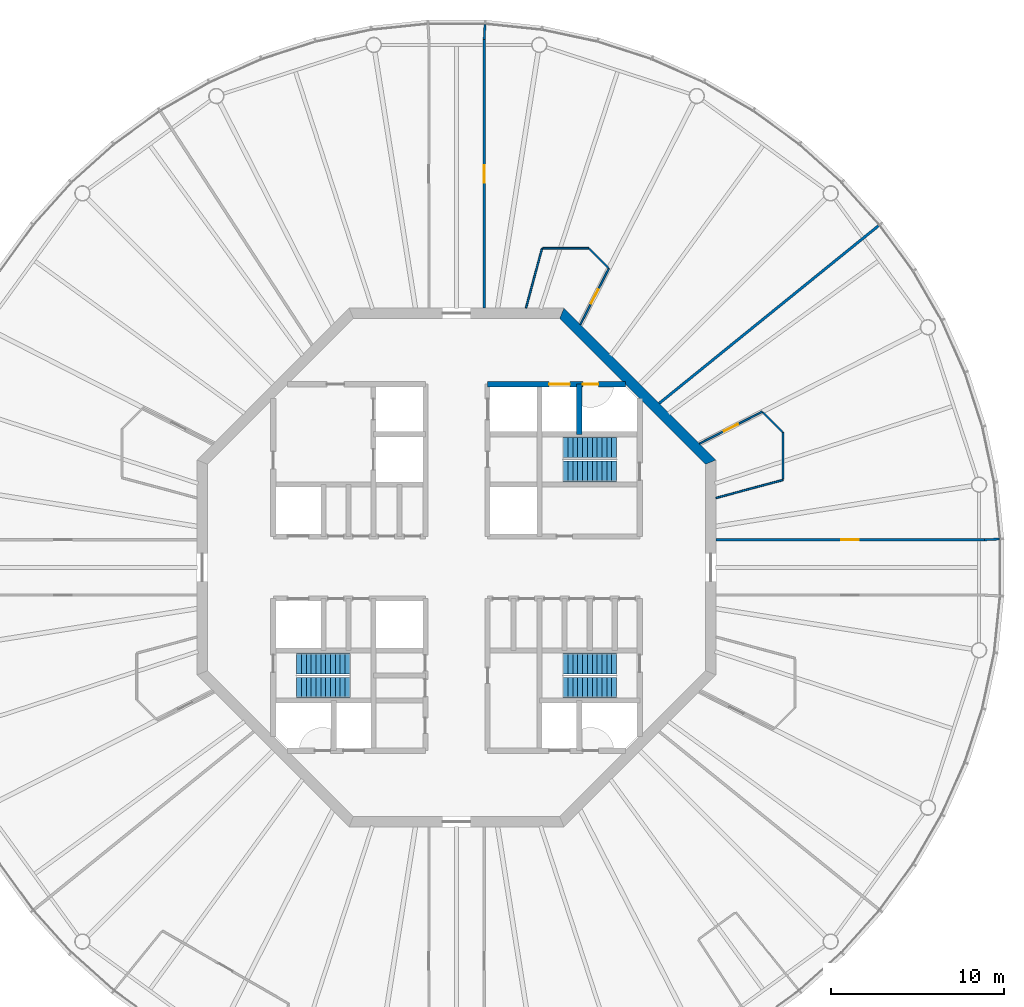
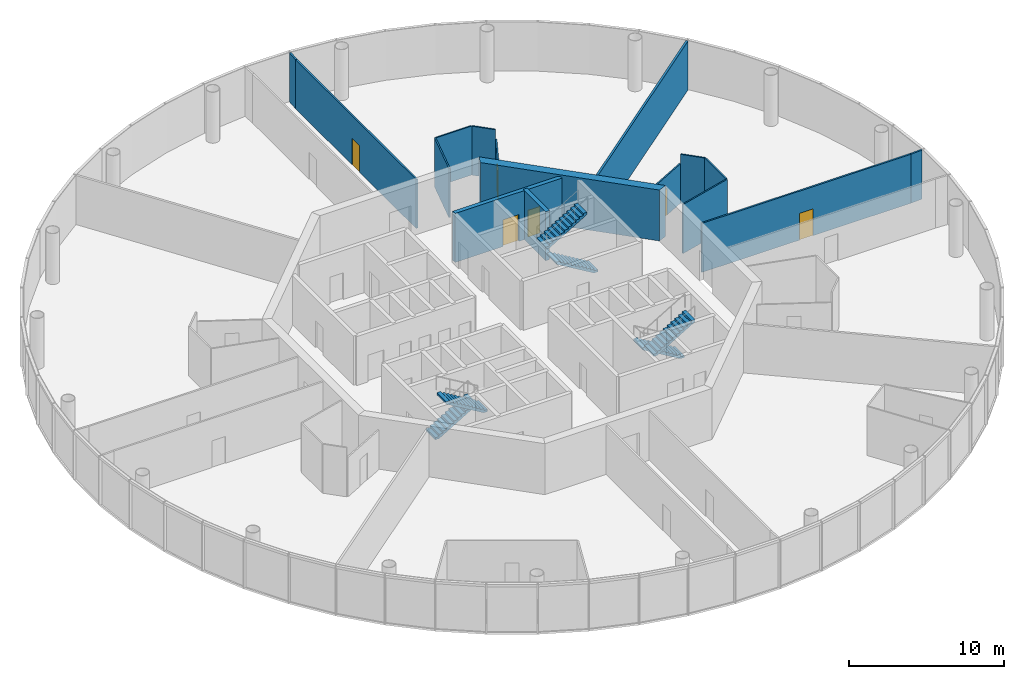
# One storey, part 6 of 13: 16 walls, 6 doors, 6 stair flights, 6 openings, 3 elements without a shape of their own.
"""IFC4 building model written with IfcOpenShell, lengths in metres."""

from ifc_helpers import new_model, si_unit, direction, frame, frame_2d, origin, place, context, subcontext, project, spatial, polyline, rectangle, outline, extrude, material, layer, layer_set, type_object, element, fill, aggregate, save


model = new_model("IFC4")

# Units and contexts
model_context = context("Model", 3, precision=1e-05, world=origin(), true_north=direction((0.0, 1.0)))
body_context = subcontext(model_context, "Body", "Model", "MODEL_VIEW")
ifc_project = project(units=[si_unit("LENGTHUNIT", "METRE"), si_unit("AREAUNIT", "SQUARE_METRE"), si_unit("VOLUMEUNIT", "CUBIC_METRE"), si_unit("PLANEANGLEUNIT", "RADIAN"), si_unit("MASSUNIT", "GRAM", prefix="KILO")], contexts=[model_context])

# Site, building, storey
site_placement = place(None, origin())
site = spatial("IfcSite", under=ifc_project, at=site_placement, CompositionType="ELEMENT")
building_placement = place(site_placement, origin())
building = spatial("IfcBuilding", under=site, at=building_placement, Name="Entoto Ring Tower", CompositionType="ELEMENT")
storey_placement = place(building_placement, frame((0.0, 0.0, 344.0)))
storey = spatial("IfcBuildingStorey", under=building, at=storey_placement, Name="L79", CompositionType="ELEMENT", Elevation=344.0)

# Wall
ifc_material_1 = material(Name="Concrete C40/50", Category="concrete")
ifc_layer_1 = layer(ifc_material_1, 0.300048828125)
ifc_layer_set_1 = layer_set([ifc_layer_1], Name="Concrete C40/50")
wall_type_1 = type_object("IfcWallType", Name="Core enclosure wall 300 mm reinforced concrete", PredefinedType="SOLIDWALL", material=ifc_layer_set_1)
wall_1_placement = place(storey_placement, frame((97.10009765625, 87.699951171875, 0.0), z_axis=(0.0, 0.0, 1.0), x_axis=(0.0, 1.0, 0.0)))
element("IfcWall", 1, at=wall_1_placement, inside=storey, type_object=wall_type_1, Name="wall-L79-006", PredefinedType="SOLIDWALL", context=body_context, shape_type="SweptSolid", body=[
    extrude(rectangle(XDim=2.900146484375, YDim=0.300048828125, at=frame_2d((1.4501953125, 0.0))), origin(), (0.0, 0.0, 1.0), 3.85009765625),
])

# Wall, openings, doors
wall_2_placement = place(storey_placement, frame((91.800048828125, 90.60009765625, 0.0), z_axis=(0.0, 0.0, 1.0), x_axis=(1.0, 0.0, 0.0)))
wall_2 = element("IfcWall", 2, at=wall_2_placement, inside=storey, type_object=wall_type_1, Name="wall-L79-041", PredefinedType="SOLIDWALL", context=body_context, shape_type="SweptSolid", body=[
    extrude(rectangle(XDim=7.964599609375, YDim=0.300048828125, at=frame_2d((3.982421875, 0.0))), origin(), (0.0, 0.0, 1.0), 3.85009765625),
])
opening_1_placement = place(wall_2_placement, frame((3.550048828125, 0.0, 0.0)))
opening_1 = element("IfcOpeningElement", 3, at=opening_1_placement, cuts=wall_2, Name="Opening LD", PredefinedType="OPENING", context=body_context, shape_type="SweptSolid", body=[
    extrude(rectangle(XDim=1.199951171875, YDim=2.10009765625, at=frame_2d((0.60009765625, 1.050048828125))), frame((0.0, 0.16015625, 0.0), z_axis=(0.0, -1.0, 0.0), x_axis=(1.0, 0.0, 0.0)), (0.0, 0.0, 1.0), 0.320068359375),
])
opening_2_placement = place(wall_2_placement, frame((5.5, 0.0, 0.0)))
opening_2 = element("IfcOpeningElement", 4, at=opening_2_placement, cuts=wall_2, Name="Opening K-32", PredefinedType="OPENING", context=body_context, shape_type="SweptSolid", body=[
    extrude(rectangle(XDim=0.89990234375, YDim=2.10009765625, at=frame_2d((0.449951171875, 1.050048828125))), frame((0.0, 0.16015625, 0.0), z_axis=(0.0, -1.0, 0.0), x_axis=(1.0, 0.0, 0.0)), (0.0, 0.0, 1.0), 0.320068359375),
])
ifc_material_2 = material(Name="Steel and glass door leaf", Category="steel")
ifc_layer_2 = layer(ifc_material_2, 0.050048828125)
ifc_layer_set_2 = layer_set([ifc_layer_2], Name="Steel and glass door leaf")
door_type_1 = type_object("IfcDoorType", Name="Landing door 1200 x 2100 sliding", OperationType="DOUBLE_DOOR_SLIDING", PredefinedType="DOOR", material=ifc_layer_set_2)
door_1_placement = place(opening_1_placement, origin())
door_1 = element("IfcDoor", 5, at=door_1_placement, inside=storey, type_object=door_type_1, Name="Landing door LB1-HR", OperationType="SLIDING_TO_RIGHT", OverallHeight=2.10009765625, OverallWidth=1.199951171875, PredefinedType="DOOR", context=body_context, shape_type="SweptSolid", body=[
    extrude(rectangle(XDim=1.199951171875, YDim=2.10009765625, at=frame_2d((0.60009765625, 1.050048828125))), frame((0.0, 0.02490234375, 0.0), z_axis=(0.0, -1.0, 0.0), x_axis=(1.0, 0.0, 0.0)), (0.0, 0.0, 1.0), 0.050048828125),
])
fill(opening_1, door_1)
ifc_material_3 = material(Name="Steel door leaf, fire rated", Category="steel")
ifc_layer_3 = layer(ifc_material_3, 0.050048828125)
ifc_layer_set_3 = layer_set([ifc_layer_3], Name="Steel door leaf, fire rated")
door_type_2 = type_object("IfcDoorType", Name="Riser door FD60 900 x 2100 single leaf", OperationType="NOTDEFINED", PredefinedType="DOOR", material=ifc_layer_set_3)
door_2_placement = place(opening_2_placement, frame((0.89990234375, 0.0, 0.0), z_axis=(0.0, 0.0, 1.0), x_axis=(-1.0, 0.0, 0.0)))
door_2 = element("IfcDoor", 6, at=door_2_placement, inside=storey, type_object=door_type_2, Name="Door K-32", OperationType="SINGLE_SWING_RIGHT", OverallHeight=2.10009765625, OverallWidth=0.89990234375, PredefinedType="DOOR", context=body_context, shape_type="SweptSolid", body=[
    extrude(rectangle(XDim=0.89990234375, YDim=2.10009765625, at=frame_2d((0.449951171875, 1.050048828125))), frame((0.0, 0.02490234375, 0.0), z_axis=(0.0, -1.0, 0.0), x_axis=(1.0, 0.0, 0.0)), (0.0, 0.0, 1.0), 0.050048828125),
])
fill(opening_2, door_2)

# Wall
ifc_material_4 = material(Name="Concrete C40/50", Category="concrete")
ifc_layer_4 = layer(ifc_material_4, 0.60009765625)
ifc_layer_set_4 = layer_set([ifc_layer_4], Name="Concrete C40/50")
wall_type_2 = type_object("IfcWallType", Name="Core shear wall 600 mm reinforced concrete C40/50", PredefinedType="SHEAR", material=ifc_layer_set_4)
wall_3_placement = place(storey_placement, frame((104.699951171875, 86.0888671875, 0.0), z_axis=(0.0, 0.0, 1.0), x_axis=(-0.707106781187, 0.707106781187, 0.0)))
element("IfcWall", 7, at=wall_3_placement, inside=storey, type_object=wall_type_2, Name="wall-L79-core-1", PredefinedType="SHEAR", context=body_context, shape_type="SweptSolid", body=[
    extrude(outline(polyline([(-0.124267578125, -0.300048828125), (12.30224609375, -0.300048828125), (12.0537109375, 0.300048828125), (0.124267578125, 0.300048828125), (-0.124267578125, -0.300048828125)])), origin(), (0.0, 0.0, 1.0), 4.0),
])

# Wall, opening, door
ifc_material_5 = material(Name="Fire-resisting plasterboard on steel studs", Category="steel")
ifc_layer_5 = layer(ifc_material_5, 0.125)
ifc_layer_set_5 = layer_set([ifc_layer_5], Name="Fire-resisting plasterboard on steel studs")
wall_type_3 = type_object("IfcWallType", Name="Corridor wall 125 mm one-hour plasterboard on steel studs", PredefinedType="PARTITIONING", material=ifc_layer_set_5)
wall_4_placement = place(storey_placement, frame((91.60009765625, 95.0, 0.0), z_axis=(0.0, 0.0, 1.0), x_axis=(0.0, 1.0, 0.0)))
wall_4 = element("IfcWall", 8, at=wall_4_placement, inside=storey, type_object=wall_type_3, Name="partition-L79-006", PredefinedType="PARTITIONING", context=body_context, shape_type="SweptSolid", body=[
    extrude(rectangle(XDim=15.52978515625, YDim=0.125, at=frame_2d((7.764892578125, 0.0))), origin(), (0.0, 0.0, 1.0), 3.85009765625),
])
opening_3_placement = place(wall_4_placement, frame((7.264892578125, 0.0, 0.0)))
opening_3 = element("IfcOpeningElement", 9, at=opening_3_placement, cuts=wall_4, Name="Opening A34-D03", PredefinedType="OPENING", context=body_context, shape_type="SweptSolid", body=[
    extrude(rectangle(XDim=1.0, YDim=2.10009765625, at=frame_2d((0.5, 1.050048828125))), frame((0.0, 0.072509765625, 0.0), z_axis=(0.0, -1.0, 0.0), x_axis=(1.0, 0.0, 0.0)), (0.0, 0.0, 1.0), 0.14501953125),
])
ifc_material_6 = material(Name="Fire-resisting timber door set", Category="wood")
door_type_3 = type_object("IfcDoorType", Name="Door 1000 x 2100 single leaf FD30S fire door", OperationType="NOTDEFINED", PredefinedType="DOOR", material=ifc_material_6)
door_3_placement = place(opening_3_placement, frame((1.0, 0.0, 0.0), z_axis=(0.0, 0.0, 1.0), x_axis=(-1.0, 0.0, 0.0)))
door_3 = element("IfcDoor", 10, at=door_3_placement, inside=storey, type_object=door_type_3, Name="Door A34-D03", OperationType="SINGLE_SWING_RIGHT", OverallHeight=2.10009765625, OverallWidth=1.0, PredefinedType="DOOR", context=body_context, shape_type="SweptSolid", body=[
    extrude(rectangle(XDim=1.0, YDim=2.10009765625, at=frame_2d((0.5, 1.050048828125))), frame((0.0, 0.02490234375, 0.0), z_axis=(0.0, -1.0, 0.0), x_axis=(1.0, 0.0, 0.0)), (0.0, 0.0, 1.0), 0.050048828125),
])
fill(opening_3, door_3)

wall_5_placement = place(storey_placement, frame((105.0, 81.60009765625, 0.0), z_axis=(0.0, 0.0, 1.0), x_axis=(1.0, 0.0, 0.0)))
wall_5 = element("IfcWall", 11, at=wall_5_placement, inside=storey, type_object=wall_type_3, Name="partition-L79-008", PredefinedType="PARTITIONING", context=body_context, shape_type="SweptSolid", body=[
    extrude(rectangle(XDim=15.52978515625, YDim=0.125, at=frame_2d((7.764892578125, 0.0))), origin(), (0.0, 0.0, 1.0), 3.85009765625),
])
opening_4_placement = place(wall_5_placement, frame((7.264892578125, 0.0, 0.0)))
opening_4 = element("IfcOpeningElement", 12, at=opening_4_placement, cuts=wall_5, Name="Opening A34-D01", PredefinedType="OPENING", context=body_context, shape_type="SweptSolid", body=[
    extrude(rectangle(XDim=1.0, YDim=2.10009765625, at=frame_2d((0.5, 1.050048828125))), frame((0.0, 0.072509765625, 0.0), z_axis=(0.0, -1.0, 0.0), x_axis=(1.0, 0.0, 0.0)), (0.0, 0.0, 1.0), 0.14501953125),
])
door_4_placement = place(opening_4_placement, origin())
door_4 = element("IfcDoor", 13, at=door_4_placement, inside=storey, type_object=door_type_3, Name="Door A34-D01", OperationType="SINGLE_SWING_LEFT", OverallHeight=2.10009765625, OverallWidth=1.0, PredefinedType="DOOR", context=body_context, shape_type="SweptSolid", body=[
    extrude(rectangle(XDim=1.0, YDim=2.10009765625, at=frame_2d((0.5, 1.050048828125))), frame((0.0, 0.02490234375, 0.0), z_axis=(0.0, -1.0, 0.0), x_axis=(1.0, 0.0, 0.0)), (0.0, 0.0, 1.0), 0.050048828125),
])
fill(opening_4, door_4)

# Walls
for number, where, z_axis, x_axis, name in (
    (14, (91.60009765625, 110.533203125, 0.0), (0.0, 0.0, 1.0), (0.052499574911, 0.998620946423, 0.0), "partition-L79-013"),
    (15, (120.533203125, 81.60009765625, 0.0), (0.0, 0.0, 1.0), (0.998620946423, 0.052499574911, 0.0), "partition-L79-015"),
):
    element("IfcWall", number, at=place(storey_placement, frame(where, z_axis=z_axis, x_axis=x_axis)), inside=storey, type_object=wall_type_3, Name=name, PredefinedType="PARTITIONING", context=body_context, shape_type="SweptSolid", body=[
        extrude(rectangle(XDim=0.864990234375, YDim=0.125, at=frame_2d((0.4326171875, 0.0))), origin(), (0.0, 0.0, 1.0), 3.85009765625),
    ])
ifc_material_7 = material(Name="Plasterboard on steel studs", Category="steel")
ifc_layer_6 = layer(ifc_material_7, 0.10009765625)
ifc_layer_set_6 = layer_set([ifc_layer_6], Name="Plasterboard on steel studs")
wall_type_4 = type_object("IfcWallType", Name="Partition 100 mm plasterboard on steel studs", PredefinedType="PARTITIONING", material=ifc_layer_set_6)
wall_6_placement = place(storey_placement, frame((105.0, 84.019287109375, 0.0), z_axis=(0.0, 0.0, 1.0), x_axis=(0.965929603202, 0.258804949058, 0.0)))
element("IfcWall", 16, at=wall_6_placement, inside=storey, type_object=wall_type_4, Name="partition-L79-031", PredefinedType="PARTITIONING", context=body_context, shape_type="SweptSolid", body=[
    extrude(rectangle(XDim=4.016845703125, YDim=0.10009765625, at=frame_2d((2.00830078125, 0.0))), origin(), (0.0, 0.0, 1.0), 3.85009765625),
])
wall_7_placement = place(storey_placement, frame((94.019287109375, 95.0, 0.0), z_axis=(0.0, 0.0, 1.0), x_axis=(0.258795137252, 0.965932232061, 0.0)))
element("IfcWall", 17, at=wall_7_placement, inside=storey, type_object=wall_type_4, Name="partition-L79-035", PredefinedType="PARTITIONING", context=body_context, shape_type="SweptSolid", body=[
    extrude(rectangle(XDim=3.58203125, YDim=0.10009765625, at=frame_2d((1.791015625, 0.0))), origin(), (0.0, 0.0, 1.0), 3.85009765625),
])
wall_8_placement = place(storey_placement, frame((108.8798828125, 85.107177734375, 0.0), z_axis=(0.0, 0.0, 1.0), x_axis=(0.0, 1.0, 0.0)))
element("IfcWall", 18, at=wall_8_placement, inside=storey, type_object=wall_type_4, Name="partition-L79-038", PredefinedType="PARTITIONING", context=body_context, shape_type="SweptSolid", body=[
    extrude(rectangle(XDim=2.713134765625, YDim=0.10009765625, at=frame_2d((1.3564453125, 0.0))), origin(), (0.0, 0.0, 1.0), 3.85009765625),
])
wall_9_placement = place(storey_placement, frame((94.994384765625, 98.4599609375, 0.0), z_axis=(0.0, 0.0, 1.0), x_axis=(1.0, 0.0, 0.0)))
element("IfcWall", 19, at=wall_9_placement, inside=storey, type_object=wall_type_4, Name="partition-L79-040", PredefinedType="PARTITIONING", context=body_context, shape_type="SweptSolid", body=[
    extrude(rectangle(XDim=2.652099609375, YDim=0.10009765625, at=frame_2d((1.326171875, 0.0))), origin(), (0.0, 0.0, 1.0), 3.85009765625),
])
wall_10_placement = place(storey_placement, frame((108.855224609375, 87.84521484375, 0.0), z_axis=(0.0, 0.0, 1.0), x_axis=(-0.707106781187, 0.707106781187, 0.0)))
element("IfcWall", 20, at=wall_10_placement, inside=storey, type_object=wall_type_4, Name="partition-L79-044", PredefinedType="PARTITIONING", context=body_context, shape_type="SweptSolid", body=[
    extrude(rectangle(XDim=1.603515625, YDim=0.10009765625, at=frame_2d((0.8017578125, 0.0))), origin(), (0.0, 0.0, 1.0), 3.85009765625),
])
wall_11_placement = place(storey_placement, frame((98.7783203125, 97.327880859375, 0.0), z_axis=(0.0, 0.0, 1.0), x_axis=(-0.707028824428, 0.707184729351, 0.0)))
element("IfcWall", 21, at=wall_11_placement, inside=storey, type_object=wall_type_4, Name="partition-L79-046", PredefinedType="PARTITIONING", context=body_context, shape_type="SweptSolid", body=[
    extrude(rectangle(XDim=1.56591796875, YDim=0.10009765625, at=frame_2d((0.782958984375, 0.0))), origin(), (0.0, 0.0, 1.0), 3.85009765625),
])

# Wall, opening, door
ifc_material_8 = material(Name="Plasterboard on steel studs", Category="steel")
ifc_layer_7 = layer(ifc_material_8, 0.10009765625)
ifc_layer_set_7 = layer_set([ifc_layer_7], Name="Plasterboard on steel studs")
wall_type_5 = type_object("IfcWallType", Name="Partition 100 mm plasterboard on steel studs, 3097 mm high", PredefinedType="PARTITIONING", material=ifc_layer_set_7)
wall_12_placement = place(storey_placement, frame((104.052978515625, 87.160400390625, 0.0), z_axis=(0.0, 0.0, 1.0), x_axis=(0.891014377336, 0.45397508674, 0.0)))
wall_12 = element("IfcWall", 22, at=wall_12_placement, inside=storey, type_object=wall_type_5, Name="partition-L79-030", PredefinedType="PARTITIONING", context=body_context, shape_type="SweptSolid", body=[
    extrude(rectangle(XDim=4.07958984375, YDim=0.10009765625, at=frame_2d((2.039794921875, 0.0))), origin(), (0.0, 0.0, 1.0), 3.096923828125),
])
opening_5_placement = place(wall_12_placement, frame((1.58984375, 0.0, 0.0)))
opening_5 = element("IfcOpeningElement", 23, at=opening_5_placement, cuts=wall_12, Name="Opening A34-D02", PredefinedType="OPENING", context=body_context, shape_type="SweptSolid", body=[
    extrude(rectangle(XDim=0.89990234375, YDim=2.10009765625, at=frame_2d((0.449951171875, 1.050048828125))), frame((0.0, 0.06005859375, 0.0), z_axis=(0.0, -1.0, 0.0), x_axis=(1.0, 0.0, 0.0)), (0.0, 0.0, 1.0), 0.1201171875),
])
ifc_material_9 = material(Name="Veneered timber door leaf in timber frame", Category="wood")
door_type_4 = type_object("IfcDoorType", Name="Door 900 x 2100 single leaf timber veneer", OperationType="NOTDEFINED", PredefinedType="DOOR", material=ifc_material_9)
door_5_placement = place(opening_5_placement, frame((0.89990234375, 0.0, 0.0), z_axis=(0.0, 0.0, 1.0), x_axis=(-1.0, 0.0, 0.0)))
door_5 = element("IfcDoor", 24, at=door_5_placement, inside=storey, type_object=door_type_4, Name="Door A34-D02", OperationType="SINGLE_SWING_RIGHT", OverallHeight=2.10009765625, OverallWidth=0.89990234375, PredefinedType="DOOR", context=body_context, shape_type="SweptSolid", body=[
    extrude(rectangle(XDim=0.89990234375, YDim=2.10009765625, at=frame_2d((0.449951171875, 1.050048828125))), frame((0.0, 0.02490234375, 0.0), z_axis=(0.0, -1.0, 0.0), x_axis=(1.0, 0.0, 0.0)), (0.0, 0.0, 1.0), 0.050048828125),
])
fill(opening_5, door_5)

wall_13_placement = place(storey_placement, frame((97.160400390625, 94.052978515625, 0.0), z_axis=(0.0, 0.0, 1.0), x_axis=(0.453992130401, 0.891005693323, 0.0)))
wall_13 = element("IfcWall", 25, at=wall_13_placement, inside=storey, type_object=wall_type_5, Name="partition-L79-033", PredefinedType="PARTITIONING", context=body_context, shape_type="SweptSolid", body=[
    extrude(rectangle(XDim=3.637939453125, YDim=0.10009765625, at=frame_2d((1.81884765625, 0.0))), origin(), (0.0, 0.0, 1.0), 3.096923828125),
])
opening_6_placement = place(wall_13_placement, frame((1.368896484375, 0.0, 0.0)))
opening_6 = element("IfcOpeningElement", 26, at=opening_6_placement, cuts=wall_13, Name="Opening A34-D04", PredefinedType="OPENING", context=body_context, shape_type="SweptSolid", body=[
    extrude(rectangle(XDim=0.89990234375, YDim=2.10009765625, at=frame_2d((0.449951171875, 1.050048828125))), frame((0.0, 0.06005859375, 0.0), z_axis=(0.0, -1.0, 0.0), x_axis=(1.0, 0.0, 0.0)), (0.0, 0.0, 1.0), 0.1201171875),
])
door_6_placement = place(opening_6_placement, origin())
door_6 = element("IfcDoor", 27, at=door_6_placement, inside=storey, type_object=door_type_4, Name="Door A34-D04", OperationType="SINGLE_SWING_LEFT", OverallHeight=2.10009765625, OverallWidth=0.89990234375, PredefinedType="DOOR", context=body_context, shape_type="SweptSolid", body=[
    extrude(rectangle(XDim=0.89990234375, YDim=2.10009765625, at=frame_2d((0.449951171875, 1.050048828125))), frame((0.0, 0.02490234375, 0.0), z_axis=(0.0, -1.0, 0.0), x_axis=(1.0, 0.0, 0.0)), (0.0, 0.0, 1.0), 0.050048828125),
])
fill(opening_6, door_6)

# Wall
ifc_material_10 = material(Name="Fire-resisting acoustic plasterboard on steel studs", Category="steel")
ifc_layer_8 = layer(ifc_material_10, 0.14990234375)
ifc_layer_set_8 = layer_set([ifc_layer_8], Name="Fire-resisting acoustic plasterboard on steel studs")
wall_type_6 = type_object("IfcWallType", Name="Party wall 150 mm one-hour acoustic plasterboard on steel studs", PredefinedType="PARTITIONING", material=ifc_layer_set_8)
wall_14_placement = place(storey_placement, frame((101.721435546875, 89.49169921875, 0.0), z_axis=(0.0, 0.0, 1.0), x_axis=(0.777143368827, 0.629323592667, 0.0)))
element("IfcWall", 28, at=wall_14_placement, inside=storey, type_object=wall_type_6, Name="partition-L79-018", PredefinedType="PARTITIONING", context=body_context, shape_type="SweptSolid", body=[
    extrude(rectangle(XDim=16.357666015625, YDim=0.14990234375, at=frame_2d((8.1787109375, 0.0))), origin(), (0.0, 0.0, 1.0), 3.85009765625),
])

# Stair, stair flights
ifc_material_11 = material(Name="Concrete C40/50", Category="concrete")
stair_type = type_object("IfcStairType", Name="Exit stair 1200 mm dog-leg reinforced concrete", PredefinedType="HALF_TURN_STAIR", material=ifc_material_11)
stair_1_placement = place(storey_placement, origin())
stair_1 = element("IfcStair", 29, at=stair_1_placement, inside=storey, type_object=stair_type, Name="Exit stair 1", PredefinedType="HALF_TURN_STAIR")
ifc_material_12 = material(Name="Concrete C40/50", Category="concrete")
stair_flight_type = type_object("IfcStairFlightType", Name="Stair flight 1200 mm reinforced concrete", PredefinedType="STRAIGHT", material=ifc_material_12)
stair_flight_1_placement = place(storey_placement, frame((99.25, 85.550048828125, 0.0), z_axis=(0.0, 0.0, 1.0), x_axis=(-1.0, 0.0, 0.0)))
stair_flight_1 = element("IfcStairFlight", 30, at=stair_flight_1_placement, type_object=stair_flight_type, Name="ST1 flight 1", NumberOfRisers=12, NumberOfTreads=11, PredefinedType="STRAIGHT", RiserHeight=0.166666667, TreadLength=0.28, context=body_context, shape_type="SweptSolid", body=[
    extrude(outline(polyline([(0.0, 0.0), (0.0, 0.166748046875), (0.280029296875, 0.166748046875), (0.280029296875, 0.333251953125), (0.56005859375, 0.333251953125), (0.56005859375, 0.5), (0.840087890625, 0.5), (0.840087890625, 0.666748046875), (1.1201171875, 0.666748046875), (1.1201171875, 0.833251953125), (1.39990234375, 0.833251953125), (1.39990234375, 1.0), (1.679931640625, 1.0), (1.679931640625, 1.166748046875), (1.9599609375, 1.166748046875), (1.9599609375, 1.333251953125), (2.239990234375, 1.333251953125), (2.239990234375, 1.5), (2.52001953125, 1.5), (2.52001953125, 1.666748046875), (2.800048828125, 1.666748046875), (2.800048828125, 1.833251953125), (3.080078125, 1.833251953125), (3.080078125, 2.0), (3.080078125, 1.658935546875), (0.29296875, 0.0), (0.0, 0.0)])), frame((0.0, 0.60009765625, 0.0), z_axis=(0.0, -1.0, 0.0), x_axis=(1.0, 0.0, 0.0)), (0.0, 0.0, 1.0), 1.199951171875),
])
stair_flight_2_placement = place(storey_placement, frame((96.169921875, 86.949951171875, 2.0), z_axis=(0.0, 0.0, 1.0), x_axis=(1.0, 0.0, 0.0)))
stair_flight_2 = element("IfcStairFlight", 31, at=stair_flight_2_placement, type_object=stair_flight_type, Name="ST1 flight 2", NumberOfRisers=12, NumberOfTreads=11, PredefinedType="STRAIGHT", RiserHeight=0.166666667, TreadLength=0.28, context=body_context, shape_type="SweptSolid", body=[
    extrude(outline(polyline([(0.0, 0.0), (0.0, 0.166748046875), (0.280029296875, 0.166748046875), (0.280029296875, 0.333251953125), (0.56005859375, 0.333251953125), (0.56005859375, 0.5), (0.840087890625, 0.5), (0.840087890625, 0.666748046875), (1.1201171875, 0.666748046875), (1.1201171875, 0.833251953125), (1.39990234375, 0.833251953125), (1.39990234375, 1.0), (1.679931640625, 1.0), (1.679931640625, 1.166748046875), (1.9599609375, 1.166748046875), (1.9599609375, 1.333251953125), (2.239990234375, 1.333251953125), (2.239990234375, 1.5), (2.52001953125, 1.5), (2.52001953125, 1.666748046875), (2.800048828125, 1.666748046875), (2.800048828125, 1.833251953125), (3.080078125, 1.833251953125), (3.080078125, 2.0), (3.080078125, 1.658935546875), (0.29296875, 0.0), (0.0, 0.0)])), frame((0.0, 0.60009765625, 0.0), z_axis=(0.0, -1.0, 0.0), x_axis=(1.0, 0.0, 0.0)), (0.0, 0.0, 1.0), 1.199951171875),
])
aggregate(stair_1, [stair_flight_1, stair_flight_2])

stair_2_placement = place(storey_placement, origin())
stair_2 = element("IfcStair", 32, at=stair_2_placement, inside=storey, type_object=stair_type, Name="Exit stair 2", PredefinedType="HALF_TURN_STAIR")
stair_flight_3_placement = place(storey_placement, frame((80.75, 74.449951171875, 0.0), z_axis=(0.0, 0.0, 1.0), x_axis=(1.0, 0.0, 0.0)))
stair_flight_3 = element("IfcStairFlight", 33, at=stair_flight_3_placement, type_object=stair_flight_type, Name="ST2 flight 1", NumberOfRisers=12, NumberOfTreads=11, PredefinedType="STRAIGHT", RiserHeight=0.166666667, TreadLength=0.28, context=body_context, shape_type="SweptSolid", body=[
    extrude(outline(polyline([(0.0, 0.0), (0.0, 0.166748046875), (0.280029296875, 0.166748046875), (0.280029296875, 0.333251953125), (0.56005859375, 0.333251953125), (0.56005859375, 0.5), (0.840087890625, 0.5), (0.840087890625, 0.666748046875), (1.1201171875, 0.666748046875), (1.1201171875, 0.833251953125), (1.39990234375, 0.833251953125), (1.39990234375, 1.0), (1.679931640625, 1.0), (1.679931640625, 1.166748046875), (1.9599609375, 1.166748046875), (1.9599609375, 1.333251953125), (2.239990234375, 1.333251953125), (2.239990234375, 1.5), (2.52001953125, 1.5), (2.52001953125, 1.666748046875), (2.800048828125, 1.666748046875), (2.800048828125, 1.833251953125), (3.080078125, 1.833251953125), (3.080078125, 2.0), (3.080078125, 1.658935546875), (0.29296875, 0.0), (0.0, 0.0)])), frame((0.0, 0.60009765625, 0.0), z_axis=(0.0, -1.0, 0.0), x_axis=(1.0, 0.0, 0.0)), (0.0, 0.0, 1.0), 1.199951171875),
])
stair_flight_4_placement = place(storey_placement, frame((83.830078125, 73.050048828125, 2.0), z_axis=(0.0, 0.0, 1.0), x_axis=(-1.0, 0.0, 0.0)))
stair_flight_4 = element("IfcStairFlight", 34, at=stair_flight_4_placement, type_object=stair_flight_type, Name="ST2 flight 2", NumberOfRisers=12, NumberOfTreads=11, PredefinedType="STRAIGHT", RiserHeight=0.166666667, TreadLength=0.28, context=body_context, shape_type="SweptSolid", body=[
    extrude(outline(polyline([(0.0, 0.0), (0.0, 0.166748046875), (0.280029296875, 0.166748046875), (0.280029296875, 0.333251953125), (0.56005859375, 0.333251953125), (0.56005859375, 0.5), (0.840087890625, 0.5), (0.840087890625, 0.666748046875), (1.1201171875, 0.666748046875), (1.1201171875, 0.833251953125), (1.39990234375, 0.833251953125), (1.39990234375, 1.0), (1.679931640625, 1.0), (1.679931640625, 1.166748046875), (1.9599609375, 1.166748046875), (1.9599609375, 1.333251953125), (2.239990234375, 1.333251953125), (2.239990234375, 1.5), (2.52001953125, 1.5), (2.52001953125, 1.666748046875), (2.800048828125, 1.666748046875), (2.800048828125, 1.833251953125), (3.080078125, 1.833251953125), (3.080078125, 2.0), (3.080078125, 1.658935546875), (0.29296875, 0.0), (0.0, 0.0)])), frame((0.0, 0.60009765625, 0.0), z_axis=(0.0, -1.0, 0.0), x_axis=(1.0, 0.0, 0.0)), (0.0, 0.0, 1.0), 1.199951171875),
])
aggregate(stair_2, [stair_flight_3, stair_flight_4])

stair_3_placement = place(storey_placement, origin())
stair_3 = element("IfcStair", 35, at=stair_3_placement, inside=storey, type_object=stair_type, Name="Exit stair 3", PredefinedType="HALF_TURN_STAIR")
stair_flight_5_placement = place(storey_placement, frame((99.25, 74.449951171875, 0.0), z_axis=(0.0, 0.0, 1.0), x_axis=(-1.0, 0.0, 0.0)))
stair_flight_5 = element("IfcStairFlight", 36, at=stair_flight_5_placement, type_object=stair_flight_type, Name="ST3 flight 1", NumberOfRisers=12, NumberOfTreads=11, PredefinedType="STRAIGHT", RiserHeight=0.166666667, TreadLength=0.28, context=body_context, shape_type="SweptSolid", body=[
    extrude(outline(polyline([(0.0, 0.0), (0.0, 0.166748046875), (0.280029296875, 0.166748046875), (0.280029296875, 0.333251953125), (0.56005859375, 0.333251953125), (0.56005859375, 0.5), (0.840087890625, 0.5), (0.840087890625, 0.666748046875), (1.1201171875, 0.666748046875), (1.1201171875, 0.833251953125), (1.39990234375, 0.833251953125), (1.39990234375, 1.0), (1.679931640625, 1.0), (1.679931640625, 1.166748046875), (1.9599609375, 1.166748046875), (1.9599609375, 1.333251953125), (2.239990234375, 1.333251953125), (2.239990234375, 1.5), (2.52001953125, 1.5), (2.52001953125, 1.666748046875), (2.800048828125, 1.666748046875), (2.800048828125, 1.833251953125), (3.080078125, 1.833251953125), (3.080078125, 2.0), (3.080078125, 1.658935546875), (0.29296875, 0.0), (0.0, 0.0)])), frame((0.0, 0.60009765625, 0.0), z_axis=(0.0, -1.0, 0.0), x_axis=(1.0, 0.0, 0.0)), (0.0, 0.0, 1.0), 1.199951171875),
])
stair_flight_6_placement = place(storey_placement, frame((96.169921875, 73.050048828125, 2.0), z_axis=(0.0, 0.0, 1.0), x_axis=(1.0, 0.0, 0.0)))
stair_flight_6 = element("IfcStairFlight", 37, at=stair_flight_6_placement, type_object=stair_flight_type, Name="ST3 flight 2", NumberOfRisers=12, NumberOfTreads=11, PredefinedType="STRAIGHT", RiserHeight=0.166666667, TreadLength=0.28, context=body_context, shape_type="SweptSolid", body=[
    extrude(outline(polyline([(0.0, 0.0), (0.0, 0.166748046875), (0.280029296875, 0.166748046875), (0.280029296875, 0.333251953125), (0.56005859375, 0.333251953125), (0.56005859375, 0.5), (0.840087890625, 0.5), (0.840087890625, 0.666748046875), (1.1201171875, 0.666748046875), (1.1201171875, 0.833251953125), (1.39990234375, 0.833251953125), (1.39990234375, 1.0), (1.679931640625, 1.0), (1.679931640625, 1.166748046875), (1.9599609375, 1.166748046875), (1.9599609375, 1.333251953125), (2.239990234375, 1.333251953125), (2.239990234375, 1.5), (2.52001953125, 1.5), (2.52001953125, 1.666748046875), (2.800048828125, 1.666748046875), (2.800048828125, 1.833251953125), (3.080078125, 1.833251953125), (3.080078125, 2.0), (3.080078125, 1.658935546875), (0.29296875, 0.0), (0.0, 0.0)])), frame((0.0, 0.60009765625, 0.0), z_axis=(0.0, -1.0, 0.0), x_axis=(1.0, 0.0, 0.0)), (0.0, 0.0, 1.0), 1.199951171875),
])
aggregate(stair_3, [stair_flight_5, stair_flight_6])

save(model, "model.ifc")
